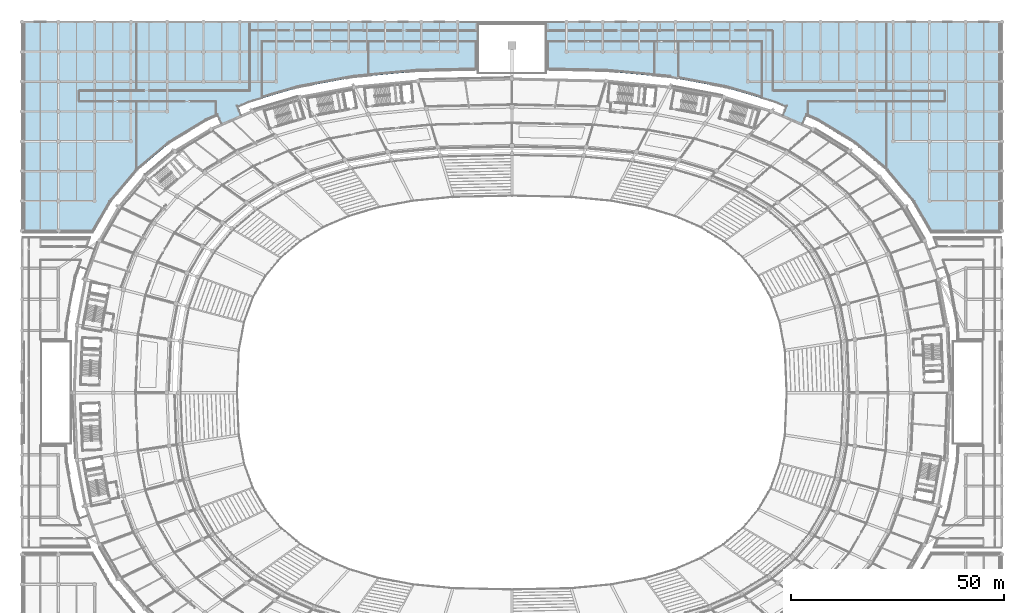
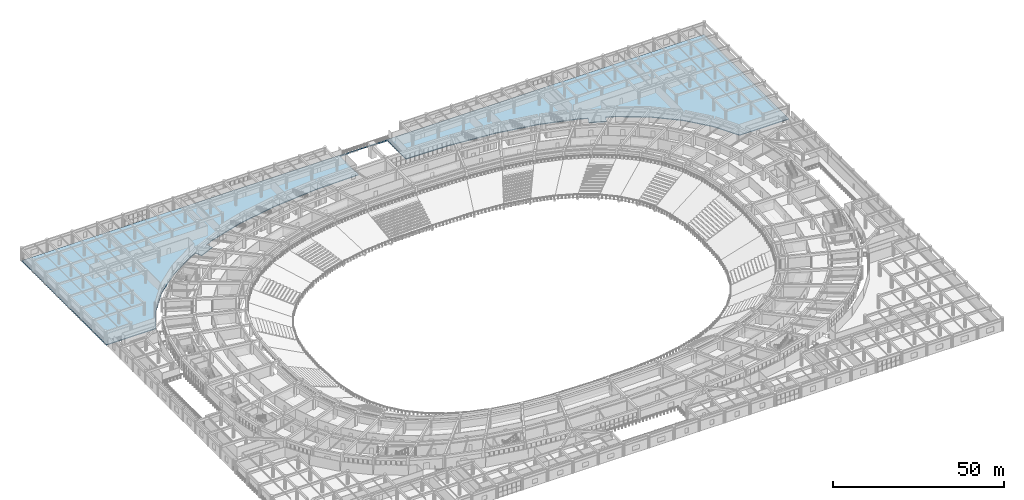
# One storey, part 90 of 152: 1 slab.
"""IFC4 building model written with IfcOpenShell, lengths in metres."""

from ifc_helpers import new_model, si_unit, direction, frame, origin, place, context, subcontext, project, spatial, polyline, outline, extrude, material, layer, layer_set, type_object, element, save


model = new_model("IFC4")

# Units and contexts
model_context = context("Model", 3, precision=1e-05, world=origin(), true_north=direction((0.0, 1.0)))
body_context = subcontext(model_context, "Body", "Model", "MODEL_VIEW")
ifc_project = project(units=[si_unit("LENGTHUNIT", "METRE"), si_unit("AREAUNIT", "SQUARE_METRE"), si_unit("VOLUMEUNIT", "CUBIC_METRE"), si_unit("PLANEANGLEUNIT", "RADIAN"), si_unit("MASSUNIT", "GRAM", prefix="KILO")], contexts=[model_context])

# Site, building, storey
site_placement = place(None, origin())
site = spatial("IfcSite", under=ifc_project, at=site_placement, CompositionType="ELEMENT")
building_placement = place(site_placement, origin())
building = spatial("IfcBuilding", under=site, at=building_placement, Name="Mphavela Belvedere Stadium", CompositionType="ELEMENT")
storey_placement = place(building_placement, frame((0.0, 0.0, 5.39990234375)))
storey = spatial("IfcBuildingStorey", under=building, at=storey_placement, Name="L01", CompositionType="ELEMENT", Elevation=5.39990234375)

# Slab
ifc_material = material(Name="Concrete C40/50", Category="concrete")
ifc_layer = layer(ifc_material, 0.260009765625)
ifc_layer_set = layer_set([ifc_layer], Name="Concrete C40/50")
slab_type = type_object("IfcSlabType", Name="SLB-PAVILION-260", PredefinedType="FLOOR", material=ifc_layer_set)
slab_placement = place(storey_placement, frame((0.0, 0.0, -0.260009765625)))
element("IfcSlab", 1, at=slab_placement, inside=storey, type_object=slab_type, Name="North Mast and Ceremonial End Forecourt floor slab L01-1", PredefinedType="FLOOR", context=body_context, shape_type="SweptSolid", body=[
    extrude(outline(polyline([(209.147216796875, 131.7626953125), (209.042236328125, 131.9267578125), (208.92333984375, 132.080810546875), (203.019287109375, 139.072998046875), (202.893798828125, 139.20947265625), (202.757080078125, 139.3349609375), (195.574462890625, 145.39599609375), (195.4404296875, 145.500244140625), (195.299072265625, 145.593994140625), (186.839599609375, 150.740478515625), (186.5712890625, 150.87939453125), (184.077392578125, 151.96044921875), (183.202392578125, 149.94189453125), (178.431396484375, 152.01025390625), (179.306396484375, 154.02880859375), (176.8125, 155.10986328125), (176.563720703125, 155.2001953125), (165.42724609375, 158.505859375), (165.2041015625, 158.559814453125), (152.4755859375, 160.93017578125), (152.281494140625, 160.95751953125), (137.323486328125, 162.3837890625), (137.162109375, 162.393310546875), (123.0, 162.6982421875), (123.0, 173.5), (120.199951171875, 173.5), (120.199951171875, 173.699951171875), (109.800048828125, 173.699951171875), (109.800048828125, 173.5), (107.0, 173.5), (107.0, 162.6982421875), (92.837890625, 162.393310546875), (92.676513671875, 162.3837890625), (77.718505859375, 160.95751953125), (77.5244140625, 160.93017578125), (64.7958984375, 158.559814453125), (64.57275390625, 158.505859375), (53.436279296875, 155.2001953125), (53.1875, 155.10986328125), (50.693603515625, 154.02880859375), (51.568603515625, 152.01025390625), (46.797607421875, 149.94189453125), (45.922607421875, 151.96044921875), (43.4287109375, 150.87939453125), (43.160400390625, 150.740478515625), (34.700927734375, 145.593994140625), (34.5595703125, 145.500244140625), (34.425537109375, 145.39599609375), (27.242919921875, 139.3349609375), (27.106201171875, 139.20947265625), (26.980712890625, 139.072998046875), (21.07666015625, 132.080810546875), (20.957763671875, 131.9267578125), (20.852783203125, 131.7626953125), (16.653564453125, 124.5), (0.0, 124.5), (0.0, 174.0), (230.0, 174.0), (230.0, 124.5), (213.346435546875, 124.5), (209.147216796875, 131.7626953125)])), origin(), (0.0, 0.0, 1.0), 0.260009765625),
])

save(model, "model.ifc")
